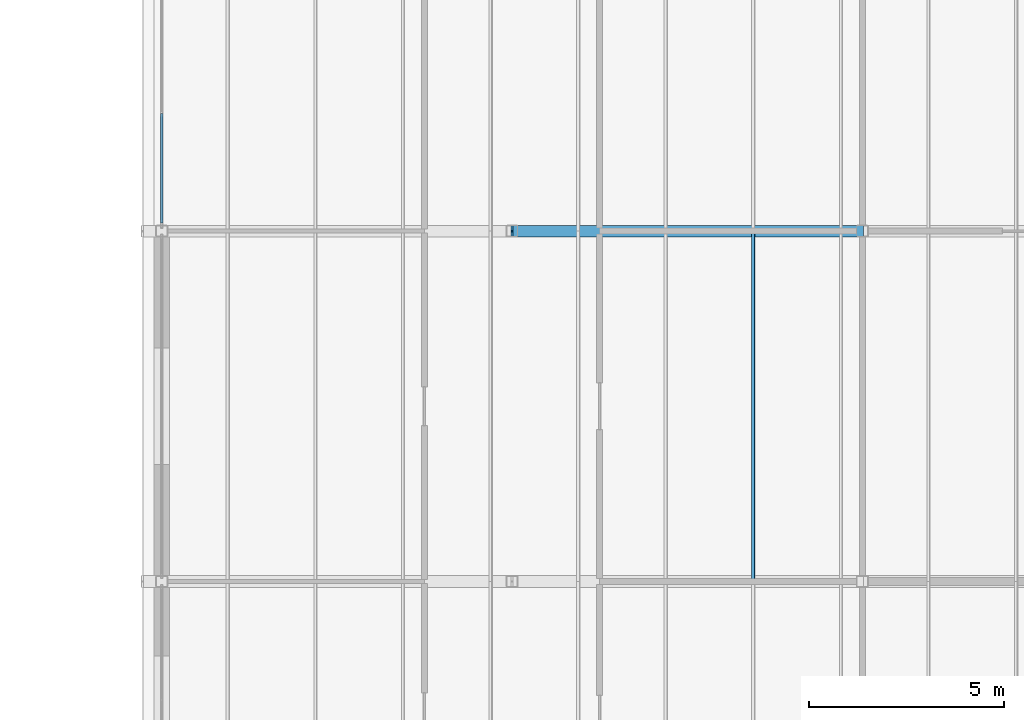
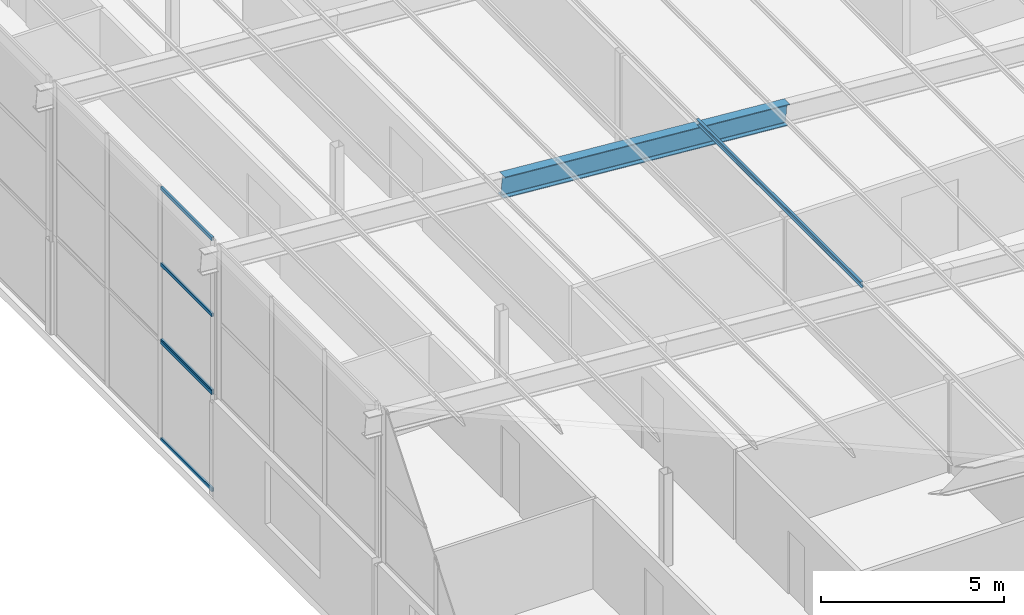
# One storey, part 30 of 85: 7 members, 2 elements without a shape of their own.
"""IFC4 building model written with IfcOpenShell, lengths in metres."""

from ifc_helpers import new_model, si_unit, direction, frame, origin, origin_2d, place, context, subcontext, project, spatial, polyline, hollow_rectangle, i_section, outline, extrude, material, layer, layer_set, material_profile, profile_set, type_object, element, aggregate, save


model = new_model("IFC4")

# Units and contexts
model_context = context("Model", 3, precision=1e-05, world=origin(), true_north=direction((0.0, 1.0)))
body_context = subcontext(model_context, "Body", "Model", "MODEL_VIEW")
ifc_project = project(units=[si_unit("LENGTHUNIT", "METRE"), si_unit("AREAUNIT", "SQUARE_METRE"), si_unit("VOLUMEUNIT", "CUBIC_METRE"), si_unit("PLANEANGLEUNIT", "RADIAN"), si_unit("MASSUNIT", "GRAM", prefix="KILO")], contexts=[model_context])

# Site, building, storey
site_placement = place(None, origin())
site = spatial("IfcSite", under=ifc_project, at=site_placement, CompositionType="ELEMENT")
building_placement = place(site_placement, origin())
building = spatial("IfcBuilding", under=site, at=building_placement, Name="Opaline Strait Convention Centre", CompositionType="ELEMENT")
storey_placement = place(building_placement, frame((0.0, 0.0, 17.0)))
storey = spatial("IfcBuildingStorey", under=building, at=storey_placement, Name="L03", CompositionType="ELEMENT", Elevation=17.0)

# Curtain wall, members
ifc_material_1 = material(Name="Aluminium framed double glazing", Category="aluminium")
ifc_layer = layer(ifc_material_1, 0.199951171875)
ifc_layer_set = layer_set([ifc_layer], Name="Aluminium framed double glazing")
curtain_wall_type = type_object("IfcCurtainWallType", Name="Curtain wall 3000 module unitised", PredefinedType="NOTDEFINED", material=ifc_layer_set)
curtain_wall_1_placement = place(storey_placement, origin())
curtain_wall_1 = element("IfcCurtainWall", 1, at=curtain_wall_1_placement, inside=storey, type_object=curtain_wall_type, Name="Curtain wall W L03 32/P", PredefinedType="NOTDEFINED")
ifc_material_2 = material(Name="Aluminium alloy 6063", Category="aluminium")
ifc_material_profile_1 = material_profile(ifc_material_2, hollow_rectangle(XDim=0.06005859375, YDim=0.1201171875, WallThickness=0.0029296875, at=origin_2d()), Name="TRANSOM 60x120x3")
ifc_profile_set_1 = profile_set([ifc_material_profile_1], Name="Aluminium alloy 6063")
member_type_1 = type_object("IfcMemberType", Name="Curtain wall transom 60 x 120", PredefinedType="USERDEFINED", material=ifc_profile_set_1)
member_1_placement = place(storey_placement, frame((279.0, 117.2099609375, 0.030029296875), z_axis=(0.0, 1.0, 0.0), x_axis=(-1.0, 0.0, 0.0)))
member_1 = element("IfcMember", 2, at=member_1_placement, type_object=member_type_1, Name="MCWR1 transom 1.1", ObjectType="TRANSOM", PredefinedType="USERDEFINED", context=body_context, shape_type="SweptSolid", body=[
    extrude(hollow_rectangle(XDim=0.06005859375, YDim=0.1201171875, WallThickness=0.0029296875, at=origin_2d()), origin(), (0.0, 0.0, 1.0), 2.81005859375),
])
member_2_placement = place(storey_placement, frame((279.0, 117.2099609375, 3.27001953125), z_axis=(0.0, 1.0, 0.0), x_axis=(-1.0, 0.0, 0.0)))
member_2 = element("IfcMember", 3, at=member_2_placement, type_object=member_type_1, Name="MCWR1 transom 1.2", ObjectType="TRANSOM", PredefinedType="USERDEFINED", context=body_context, shape_type="SweptSolid", body=[
    extrude(hollow_rectangle(XDim=0.06005859375, YDim=0.1201171875, WallThickness=0.0029296875, at=origin_2d()), origin(), (0.0, 0.0, 1.0), 2.81005859375),
])
aggregate(curtain_wall_1, [member_1, member_2])

curtain_wall_2_placement = place(storey_placement, origin())
curtain_wall_2 = element("IfcCurtainWall", 4, at=curtain_wall_2_placement, inside=storey, type_object=curtain_wall_type, Name="Clerestory curtain wall W L03 32/P", PredefinedType="NOTDEFINED")
member_3_placement = place(storey_placement, frame((279.0, 117.2099609375, 3.330078125), z_axis=(0.0, 1.0, 0.0), x_axis=(-1.0, 0.0, 0.0)))
member_3 = element("IfcMember", 5, at=member_3_placement, type_object=member_type_1, Name="MCWR1 transom 1.1", ObjectType="TRANSOM", PredefinedType="USERDEFINED", context=body_context, shape_type="SweptSolid", body=[
    extrude(hollow_rectangle(XDim=0.06005859375, YDim=0.1201171875, WallThickness=0.0029296875, at=origin_2d()), origin(), (0.0, 0.0, 1.0), 2.81005859375),
])
member_4_placement = place(storey_placement, frame((279.0, 117.2099609375, 5.872314453125), z_axis=(0.0, 1.0, 0.0), x_axis=(-1.0, 0.0, 0.0)))
member_4 = element("IfcMember", 6, at=member_4_placement, type_object=member_type_1, Name="MCWR1 transom 1.2", ObjectType="TRANSOM", PredefinedType="USERDEFINED", context=body_context, shape_type="SweptSolid", body=[
    extrude(hollow_rectangle(XDim=0.06005859375, YDim=0.1201171875, WallThickness=0.0029296875, at=origin_2d()), origin(), (0.0, 0.0, 1.0), 2.81005859375),
])
member_5_placement = place(storey_placement, frame((279.0, 117.2099609375, 8.414306640625), z_axis=(0.0, 1.0, 0.0), x_axis=(-1.0, 0.0, 0.0)))
member_5 = element("IfcMember", 7, at=member_5_placement, type_object=member_type_1, Name="MCWR1 transom 1.3", ObjectType="TRANSOM", PredefinedType="USERDEFINED", context=body_context, shape_type="SweptSolid", body=[
    extrude(hollow_rectangle(XDim=0.06005859375, YDim=0.1201171875, WallThickness=0.0029296875, at=origin_2d()), origin(), (0.0, 0.0, 1.0), 2.81005859375),
])
aggregate(curtain_wall_2, [member_3, member_4, member_5])

# Members
ifc_material_3 = material(Name="Steel Q355B", Category="steel")
ifc_material_profile_2 = material_profile(ifc_material_3, outline(polyline([(-0.034912109375, -0.10009765625), (0.034912109375, -0.10009765625), (0.034912109375, -0.080078125), (0.032470703125, -0.080078125), (0.032470703125, -0.097412109375), (-0.032470703125, -0.097412109375), (-0.032470703125, 0.097412109375), (0.032470703125, 0.097412109375), (0.032470703125, 0.080078125), (0.034912109375, 0.080078125), (0.034912109375, 0.10009765625), (-0.034912109375, 0.10009765625), (-0.034912109375, -0.10009765625)])), Name="C 200x70x20x2.5")
ifc_profile_set_2 = profile_set([ifc_material_profile_2], Name="Steel Q355B")
member_type_2 = type_object("IfcMemberType", Name="Roof purlin C 200x70x20x2.5", PredefinedType="PURLIN", material=ifc_profile_set_2)
member_6_placement = place(storey_placement, frame((294.199951171875, 108.0, 7.147705078125), z_axis=(0.0, 1.0, 0.0), x_axis=(-0.996917333733, 0.0, -0.078459095728)))
element("IfcMember", 8, at=member_6_placement, inside=storey, type_object=member_type_2, Name="MRP1 purlin W wing 143", PredefinedType="PURLIN", context=body_context, shape_type="SweptSolid", body=[
    extrude(outline(polyline([(-0.034912109375, -0.10009765625), (0.034912109375, -0.10009765625), (0.034912109375, -0.080078125), (0.032470703125, -0.080078125), (0.032470703125, -0.097412109375), (-0.032470703125, -0.097412109375), (-0.032470703125, 0.097412109375), (0.032470703125, 0.097412109375), (0.032470703125, 0.080078125), (0.034912109375, 0.080078125), (0.034912109375, 0.10009765625), (-0.034912109375, 0.10009765625), (-0.034912109375, -0.10009765625)])), origin(), (0.0, 0.0, 1.0), 9.0),
])
ifc_material_profile_3 = material_profile(ifc_material_3, i_section(OverallWidth=0.300048828125, OverallDepth=0.699951171875, WebThickness=0.012939453125, FlangeThickness=0.02392578125, FilletRadius=0.01806640625, at=origin_2d()), Name="HN 700x300x13x24")
ifc_profile_set_3 = profile_set([ifc_material_profile_3], Name="Steel Q355B")
member_type_3 = type_object("IfcMemberType", Name="Roof rafter HN 700x300x13x24", PredefinedType="RAFTER", material=ifc_profile_set_3)
member_7_placement = place(storey_placement, frame((288.0, 117.0, 7.184326171875), z_axis=(0.996917883079, 0.0, -0.078452115311), x_axis=(0.0, 1.0, 0.0)))
element("IfcMember", 9, at=member_7_placement, inside=storey, type_object=member_type_3, Name="MRR1 rafter y 117", PredefinedType="RAFTER", context=body_context, shape_type="SweptSolid", body=[
    extrude(i_section(OverallWidth=0.300048828125, OverallDepth=0.699951171875, WebThickness=0.012939453125, FlangeThickness=0.02392578125, FilletRadius=0.01806640625, at=origin_2d()), origin(), (0.0, 0.0, 1.0), 9.02783203125),
])

save(model, "model.ifc")
